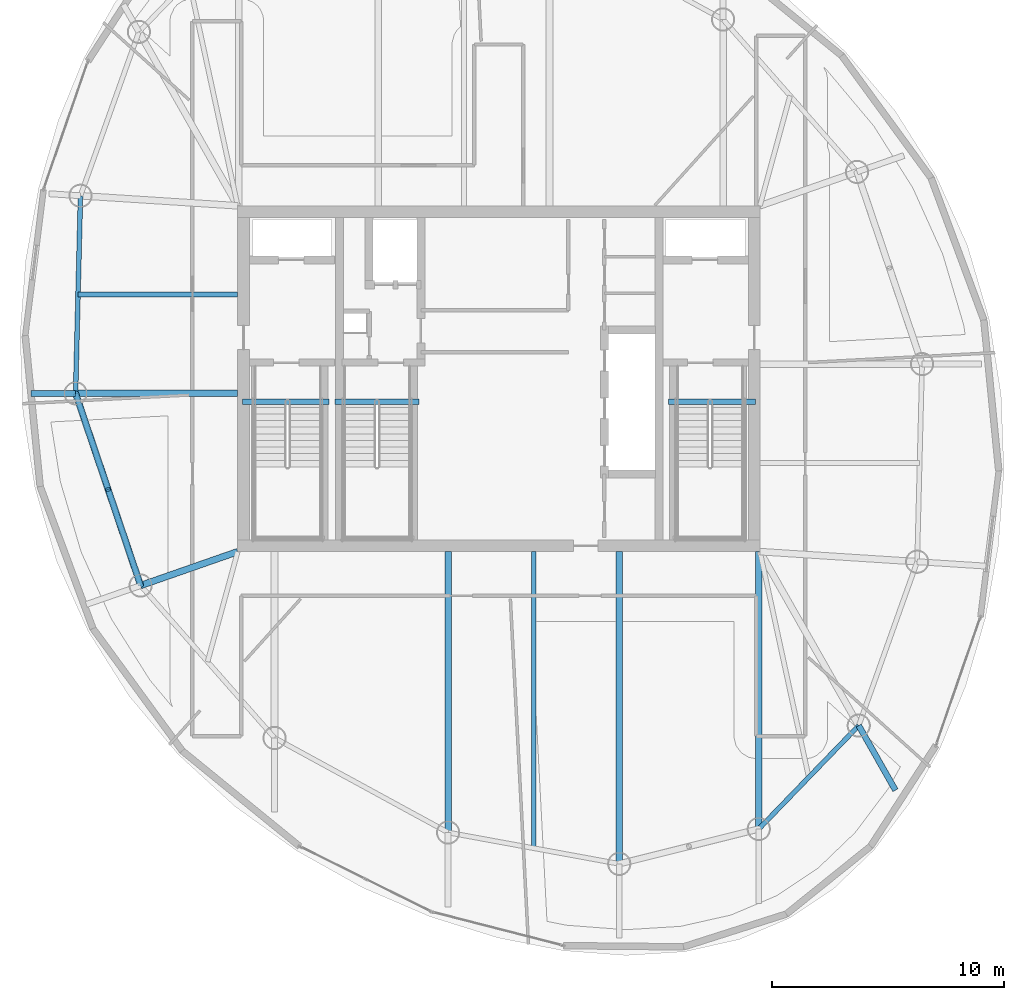
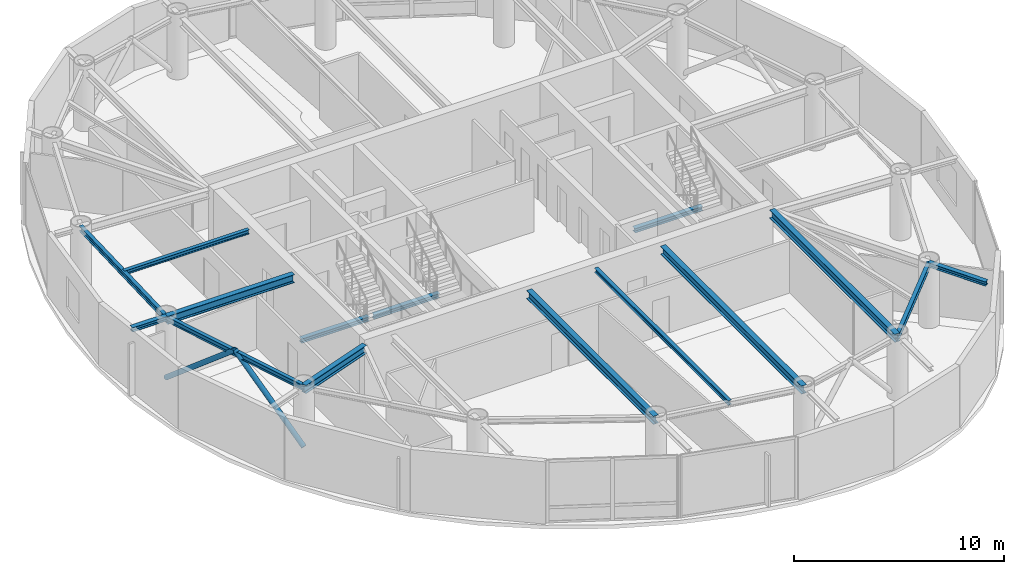
# One storey, part 5 of 17: 15 beams, 2 members.
"""IFC4 building model written with IfcOpenShell, lengths in metres."""

from ifc_helpers import new_model, si_unit, direction, frame, origin, origin_2d, place, context, subcontext, project, spatial, hollow_circle, i_section, extrude, material, material_profile, profile_set, type_object, element, save


model = new_model("IFC4")

# Units and contexts
model_context = context("Model", 3, precision=1e-05, world=origin(), true_north=direction((0.0, 1.0)))
body_context = subcontext(model_context, "Body", "Model", "MODEL_VIEW")
ifc_project = project(units=[si_unit("LENGTHUNIT", "METRE"), si_unit("AREAUNIT", "SQUARE_METRE"), si_unit("VOLUMEUNIT", "CUBIC_METRE"), si_unit("PLANEANGLEUNIT", "RADIAN"), si_unit("MASSUNIT", "GRAM", prefix="KILO")], contexts=[model_context])

# Site, building, storey
site_placement = place(None, origin())
site = spatial("IfcSite", under=ifc_project, at=site_placement, CompositionType="ELEMENT")
building_placement = place(site_placement, origin())
building = spatial("IfcBuilding", under=site, at=building_placement, Name="Bramvorn Convention Spire", CompositionType="ELEMENT")
storey_placement = place(building_placement, frame((0.0, 0.0, 280.550048828125)))
storey = spatial("IfcBuildingStorey", under=building, at=storey_placement, Name="L71", CompositionType="ELEMENT", Elevation=280.550048828125)

# Beams
ifc_material = material(Name="Steel CSA G40.21 Grade 350 (350W)", Category="steel")
ifc_material_profile_1 = material_profile(ifc_material, i_section(OverallWidth=0.201904296875, OverallDepth=0.2470703125, WebThickness=0.00732421875, FlangeThickness=0.010986328125, FilletRadius=0.011962890625, at=origin_2d()))
ifc_profile_set_1 = profile_set([ifc_material_profile_1], Name="Steel CSA G40.21 Grade 350 (350W) - W250X49")
beam_type_1 = type_object("IfcBeamType", Name="BM-W250X49", PredefinedType="JOIST", material=ifc_profile_set_1)
beam_1_placement = place(storey_placement, frame((26.75, 29.626953125, 3.50146484375), z_axis=(-1.0, 0.0, 0.0), x_axis=(0.0, -1.0, 0.0)))
element("IfcBeam", 1, at=beam_1_placement, inside=storey, type_object=beam_type_1, Name="L71 composite floor joist 11", PredefinedType="JOIST", context=body_context, shape_type="SweptSolid", body=[
    extrude(i_section(OverallWidth=0.201904296875, OverallDepth=0.2470703125, WebThickness=0.00732421875, FlangeThickness=0.010986328125, FilletRadius=0.011962890625, at=origin_2d()), origin(), (0.0, 0.0, 1.0), 6.879150390625),
])
beam_2_placement = place(storey_placement, frame((39.501953125, 18.550048828125, 3.50146484375), z_axis=(0.0, -1.0, 0.0), x_axis=(1.0, 0.0, 0.0)))
element("IfcBeam", 2, at=beam_2_placement, inside=storey, type_object=beam_type_1, Name="L71 composite floor joist 15", PredefinedType="JOIST", context=body_context, shape_type="SweptSolid", body=[
    extrude(i_section(OverallWidth=0.201904296875, OverallDepth=0.2470703125, WebThickness=0.00732421875, FlangeThickness=0.010986328125, FilletRadius=0.011962890625, at=origin_2d()), origin(), (0.0, 0.0, 1.0), 12.77587890625),
])
ifc_material_profile_2 = material_profile(ifc_material, i_section(OverallWidth=0.25390625, OverallDepth=0.2529296875, WebThickness=0.008544921875, FlangeThickness=0.01416015625, FilletRadius=0.011962890625, at=origin_2d()))
ifc_profile_set_2 = profile_set([ifc_material_profile_2], Name="Steel CSA G40.21 Grade 350 (350W) - W250X73")
beam_type_2 = type_object("IfcBeamType", Name="BM-W250X73", PredefinedType="BEAM", material=ifc_profile_set_2)
beam_3_placement = place(storey_placement, frame((53.50634765625, 11.05615234375, 3.49853515625), z_axis=(0.493918961888, -0.869507940785, 0.0), x_axis=(0.869507940785, 0.493918961888, 0.0)))
element("IfcBeam", 3, at=beam_3_placement, inside=storey, type_object=beam_type_2, Name="L71 slab-edge cantilever tip beam MC02", PredefinedType="BEAM", context=body_context, shape_type="SweptSolid", body=[
    extrude(i_section(OverallWidth=0.25390625, OverallDepth=0.2529296875, WebThickness=0.008544921875, FlangeThickness=0.01416015625, FilletRadius=0.011962890625, at=origin_2d()), origin(), (0.0, 0.0, 1.0), 3.199951171875),
])
beam_4_placement = place(storey_placement, frame((19.765380859375, 25.37060546875, 3.49853515625), z_axis=(-1.0, 0.0, 0.0), x_axis=(0.0, -1.0, 0.0)))
element("IfcBeam", 4, at=beam_4_placement, inside=storey, type_object=beam_type_2, Name="L71 slab-edge cantilever tip beam MC12", PredefinedType="BEAM", context=body_context, shape_type="SweptSolid", body=[
    extrude(i_section(OverallWidth=0.25390625, OverallDepth=0.2529296875, WebThickness=0.008544921875, FlangeThickness=0.01416015625, FilletRadius=0.011962890625, at=origin_2d()), origin(), (0.0, 0.0, 1.0), 1.927490234375),
])
for number, where, z_axis, x_axis, name in (
    (5, (26.949951171875, 25.010009765625, -0.12646484375), (1.0, 0.0, 0.0), (0.0, 1.0, 0.0), "L71 ST1 stair arrival header beam"),
    (6, (45.31005859375, 25.010009765625, -0.12646484375), (1.0, 0.0, 0.0), (0.0, 1.0, 0.0), "L71 ST2 stair arrival header beam"),
):
    element("IfcBeam", number, at=place(storey_placement, frame(where, z_axis=z_axis, x_axis=x_axis)), inside=storey, type_object=beam_type_2, Name=name, PredefinedType="BEAM", context=body_context, shape_type="SweptSolid", body=[
        extrude(i_section(OverallWidth=0.25390625, OverallDepth=0.2529296875, WebThickness=0.008544921875, FlangeThickness=0.01416015625, FilletRadius=0.011962890625, at=origin_2d()), origin(), (0.0, 0.0, 1.0), 3.739990234375),
    ])
beam_5_placement = place(storey_placement, frame((30.949951171875, 25.010009765625, -0.12646484375), z_axis=(1.0, 0.0, 0.0), x_axis=(0.0, 1.0, 0.0)))
element("IfcBeam", 7, at=beam_5_placement, inside=storey, type_object=beam_type_2, Name="L71 ST3 stair arrival header beam", PredefinedType="BEAM", context=body_context, shape_type="SweptSolid", body=[
    extrude(i_section(OverallWidth=0.25390625, OverallDepth=0.2529296875, WebThickness=0.008544921875, FlangeThickness=0.01416015625, FilletRadius=0.011962890625, at=origin_2d()), origin(), (0.0, 0.0, 1.0), 3.610107421875),
])
ifc_material_profile_3 = material_profile(ifc_material, i_section(OverallWidth=0.202880859375, OverallDepth=0.302978515625, WebThickness=0.007568359375, FlangeThickness=0.01318359375, FilletRadius=0.013916015625, at=origin_2d()))
ifc_profile_set_3 = profile_set([ifc_material_profile_3], Name="Steel CSA G40.21 Grade 350 (350W) - W310X60")
beam_type_3 = type_object("IfcBeamType", Name="BM-W310X60", PredefinedType="JOIST", material=ifc_profile_set_3)
beam_6_placement = place(storey_placement, frame((49.199951171875, 6.60107421875, 3.473388671875), z_axis=(0.695007159797, 0.719002814898, 0.0), x_axis=(-0.719002814898, 0.695007159797, 0.0)))
element("IfcBeam", 8, at=beam_6_placement, inside=storey, type_object=beam_type_3, Name="L71 mega-column ring beam 01", PredefinedType="JOIST", context=body_context, shape_type="SweptSolid", body=[
    extrude(i_section(OverallWidth=0.202880859375, OverallDepth=0.302978515625, WebThickness=0.007568359375, FlangeThickness=0.01318359375, FilletRadius=0.013916015625, at=origin_2d()), origin(), (0.0, 0.0, 1.0), 6.1962890625),
])
beam_7_placement = place(storey_placement, frame((19.976318359375, 33.883544921875, 3.473388671875), z_axis=(-0.024770853371, -0.999693155335, 0.0), x_axis=(0.999693155335, -0.024770853371, 0.0)))
element("IfcBeam", 9, at=beam_7_placement, inside=storey, type_object=beam_type_3, Name="L71 mega-column ring beam 11", PredefinedType="JOIST", context=body_context, shape_type="SweptSolid", body=[
    extrude(i_section(OverallWidth=0.202880859375, OverallDepth=0.302978515625, WebThickness=0.007568359375, FlangeThickness=0.01318359375, FilletRadius=0.013916015625, at=origin_2d()), origin(), (0.0, 0.0, 1.0), 8.515625),
])
beam_8_placement = place(storey_placement, frame((19.765380859375, 25.37060546875, 3.473388671875), z_axis=(0.320531023763, -0.947238018032, 0.0), x_axis=(0.947238018032, 0.320531023763, 0.0)))
element("IfcBeam", 10, at=beam_8_placement, inside=storey, type_object=beam_type_3, Name="L71 mega-column ring beam 12", PredefinedType="JOIST", context=body_context, shape_type="SweptSolid", body=[
    extrude(i_section(OverallWidth=0.202880859375, OverallDepth=0.302978515625, WebThickness=0.007568359375, FlangeThickness=0.01318359375, FilletRadius=0.013916015625, at=origin_2d()), origin(), (0.0, 0.0, 1.0), 8.74169921875),
])
ifc_material_profile_4 = material_profile(ifc_material, i_section(OverallWidth=0.283935546875, OverallDepth=0.47607421875, WebThickness=0.014892578125, FlangeThickness=0.02392578125, FilletRadius=0.01806640625, at=origin_2d()))
ifc_profile_set_4 = profile_set([ifc_material_profile_4], Name="Steel CSA G40.21 Grade 350 (350W) - W460X158")
beam_type_4 = type_object("IfcBeamType", Name="BM-W460X158", PredefinedType="SPANDREL", material=ifc_profile_set_4)
beam_9_placement = place(storey_placement, frame((49.199951171875, 18.550048828125, 3.386962890625), z_axis=(0.0, -1.0, 0.0), x_axis=(1.0, 0.0, 0.0)))
element("IfcBeam", 11, at=beam_9_placement, inside=storey, type_object=beam_type_4, Name="L71 radial floor girder MC01", PredefinedType="SPANDREL", context=body_context, shape_type="SweptSolid", body=[
    extrude(i_section(OverallWidth=0.283935546875, OverallDepth=0.47607421875, WebThickness=0.014892578125, FlangeThickness=0.02392578125, FilletRadius=0.01806640625, at=origin_2d()), origin(), (0.0, 0.0, 1.0), 11.948974609375),
])
beam_10_placement = place(storey_placement, frame((26.75, 25.37060546875, 3.386962890625), z_axis=(-1.0, 0.0, 0.0), x_axis=(0.0, -1.0, 0.0)))
element("IfcBeam", 12, at=beam_10_placement, inside=storey, type_object=beam_type_4, Name="L71 radial floor girder MC12", PredefinedType="SPANDREL", context=body_context, shape_type="SweptSolid", body=[
    extrude(i_section(OverallWidth=0.283935546875, OverallDepth=0.47607421875, WebThickness=0.014892578125, FlangeThickness=0.02392578125, FilletRadius=0.01806640625, at=origin_2d()), origin(), (0.0, 0.0, 1.0), 6.984619140625),
])
beam_11_placement = place(storey_placement, frame((26.75, 18.550048828125, 3.386962890625), z_axis=(-0.944136391877, -0.329554962843, 0.0), x_axis=(0.329554962843, -0.944136391877, 0.0)))
element("IfcBeam", 13, at=beam_11_placement, inside=storey, type_object=beam_type_4, Name="L71 radial floor girder MC13", PredefinedType="SPANDREL", context=body_context, shape_type="SweptSolid", body=[
    extrude(i_section(OverallWidth=0.283935546875, OverallDepth=0.47607421875, WebThickness=0.014892578125, FlangeThickness=0.02392578125, FilletRadius=0.01806640625, at=origin_2d()), origin(), (0.0, 0.0, 1.0), 4.43017578125),
])
beam_12_placement = place(storey_placement, frame((35.8154296875, 18.550048828125, 3.386962890625), z_axis=(0.0, -1.0, 0.0), x_axis=(1.0, 0.0, 0.0)))
element("IfcBeam", 14, at=beam_12_placement, inside=storey, type_object=beam_type_4, Name="L71 radial floor girder MC15", PredefinedType="SPANDREL", context=body_context, shape_type="SweptSolid", body=[
    extrude(i_section(OverallWidth=0.283935546875, OverallDepth=0.47607421875, WebThickness=0.014892578125, FlangeThickness=0.02392578125, FilletRadius=0.01806640625, at=origin_2d()), origin(), (0.0, 0.0, 1.0), 12.100830078125),
])
beam_13_placement = place(storey_placement, frame((43.1884765625, 18.550048828125, 3.386962890625), z_axis=(0.0, -1.0, 0.0), x_axis=(1.0, 0.0, 0.0)))
element("IfcBeam", 15, at=beam_13_placement, inside=storey, type_object=beam_type_4, Name="L71 radial floor girder MC16", PredefinedType="SPANDREL", context=body_context, shape_type="SweptSolid", body=[
    extrude(i_section(OverallWidth=0.283935546875, OverallDepth=0.47607421875, WebThickness=0.014892578125, FlangeThickness=0.02392578125, FilletRadius=0.01806640625, at=origin_2d()), origin(), (0.0, 0.0, 1.0), 13.450927734375),
])

# Members
ifc_material_profile_5 = material_profile(ifc_material, hollow_circle(Radius=0.136474609375, WallThickness=0.0126953125, at=origin_2d()))
ifc_profile_set_5 = profile_set([ifc_material_profile_5], Name="Steel CSA G40.21 Grade 350 (350W) - CHS273X13")
member_type = type_object("IfcMemberType", Name="MBR-CHS273X13", PredefinedType="BRACE", material=ifc_profile_set_5)
member_1_placement = place(storey_placement, frame((19.765380859375, 25.37060546875, 0.0), z_axis=(0.246737306961, -0.729119705305, 0.638361305759), x_axis=(0.947232407912, 0.320547602394, 0.0)))
element("IfcMember", 16, at=member_1_placement, inside=storey, type_object=member_type, Name="L71 perimeter Gothic lancet brace 12A", PredefinedType="BRACE", context=body_context, shape_type="SweptSolid", body=[
    extrude(hollow_circle(Radius=0.136474609375, WallThickness=0.0126953125, at=origin_2d()), origin(), (0.0, 0.0, 1.0), 5.6787109375),
])
member_2_placement = place(storey_placement, frame((22.5673828125, 17.090087890625, 0.0), z_axis=(-0.246704664157, 0.729107301286, 0.638388088778), x_axis=(-0.947243628259, -0.320514443859, 0.0)))
element("IfcMember", 17, at=member_2_placement, inside=storey, type_object=member_type, Name="L71 perimeter Gothic lancet brace 12B", PredefinedType="BRACE", context=body_context, shape_type="SweptSolid", body=[
    extrude(hollow_circle(Radius=0.136474609375, WallThickness=0.0126953125, at=origin_2d()), origin(), (0.0, 0.0, 1.0), 5.678466796875),
])

save(model, "model.ifc")
